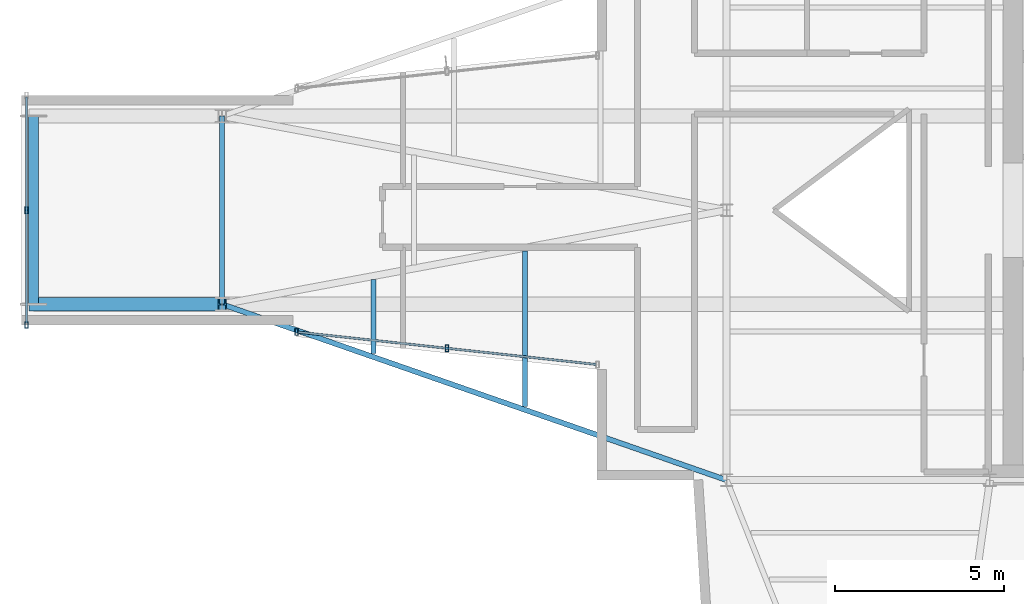
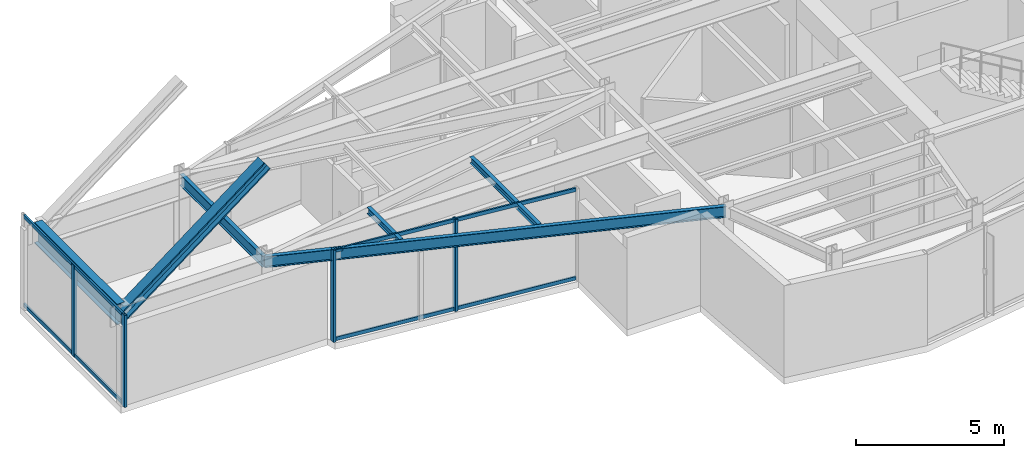
# One storey, part 2 of 16: 9 members, 5 beams, 2 elements without a shape of their own.
"""IFC4 building model written with IfcOpenShell, lengths in metres."""

from ifc_helpers import new_model, si_unit, direction, frame, origin, origin_2d, place, context, subcontext, project, spatial, hollow_rectangle, i_section, extrude, material, layer, layer_set, material_profile, profile_set, type_object, element, aggregate, save


model = new_model("IFC4")

# Units and contexts
model_context = context("Model", 3, precision=1e-05, world=origin(), true_north=direction((0.0, 1.0)))
body_context = subcontext(model_context, "Body", "Model", "MODEL_VIEW")
ifc_project = project(units=[si_unit("LENGTHUNIT", "METRE"), si_unit("AREAUNIT", "SQUARE_METRE"), si_unit("VOLUMEUNIT", "CUBIC_METRE"), si_unit("PLANEANGLEUNIT", "RADIAN"), si_unit("MASSUNIT", "GRAM", prefix="KILO")], contexts=[model_context])

# Site, building, storey
site_placement = place(None, origin())
site = spatial("IfcSite", under=ifc_project, at=site_placement, CompositionType="ELEMENT")
building_placement = place(site_placement, origin())
building = spatial("IfcBuilding", under=site, at=building_placement, Name="Veymaron Broadcast Tower", CompositionType="ELEMENT")
storey_placement = place(building_placement, frame((0.0, 0.0, 315.449951171875)))
storey = spatial("IfcBuildingStorey", under=building, at=storey_placement, Name="L74", CompositionType="ELEMENT", Elevation=315.449951171875)

# Beams
ifc_material_1 = material(Name="Structural steel ASTM A992 Gr 50", Category="steel")
ifc_material_profile_1 = material_profile(ifc_material_1, i_section(OverallWidth=0.14599609375, OverallDepth=0.258056640625, WebThickness=0.006103515625, FlangeThickness=0.009033203125, at=origin_2d()), Name="W250X33")
ifc_profile_set_1 = profile_set([ifc_material_profile_1], Name="Structural steel ASTM A992 Gr 50")
beam_type_1 = type_object("IfcBeamType", Name="BM-JS4", PredefinedType="JOIST", material=ifc_profile_set_1)
beam_1_placement = place(storey_placement, frame((20.73193359375, 19.748291015625, 3.651123046875), z_axis=(0.0, 1.0, 0.0), x_axis=(-1.0, 0.0, 0.0)))
element("IfcBeam", 1, at=beam_1_placement, inside=storey, type_object=beam_type_1, Name="L74 Arm-A secondary joist 1S", PredefinedType="JOIST", context=body_context, shape_type="SweptSolid", body=[
    extrude(i_section(OverallWidth=0.14599609375, OverallDepth=0.258056640625, WebThickness=0.006103515625, FlangeThickness=0.009033203125, at=origin_2d()), origin(), (0.0, 0.0, 1.0), 2.2001953125),
])
beam_2_placement = place(storey_placement, frame((25.21826171875, 18.184814453125, 3.651123046875), z_axis=(0.0, 1.0, 0.0), x_axis=(-1.0, 0.0, 0.0)))
element("IfcBeam", 2, at=beam_2_placement, inside=storey, type_object=beam_type_1, Name="L74 Arm-A secondary joist 2S", PredefinedType="JOIST", context=body_context, shape_type="SweptSolid", body=[
    extrude(i_section(OverallWidth=0.14599609375, OverallDepth=0.258056640625, WebThickness=0.006103515625, FlangeThickness=0.009033203125, at=origin_2d()), origin(), (0.0, 0.0, 1.0), 4.60009765625),
])
ifc_material_profile_2 = material_profile(ifc_material_1, i_section(OverallWidth=0.2939453125, OverallDepth=0.85107421875, WebThickness=0.01611328125, FlangeThickness=0.02685546875, at=origin_2d()), Name="W840X226")
ifc_profile_set_2 = profile_set([ifc_material_profile_2], Name="Structural steel ASTM A992 Gr 50")
beam_type_2 = type_object("IfcBeamType", Name="BM-SG2", PredefinedType="BEAM", material=ifc_profile_set_2)
beam_3_placement = place(storey_placement, frame((10.65869140625, 21.2119140625, 3.3544921875), z_axis=(0.0, 1.0, 0.0), x_axis=(-1.0, 0.0, 0.0)))
element("IfcBeam", 3, at=beam_3_placement, inside=storey, type_object=beam_type_2, Name="L74 Sky-Lounge Cantilever Tip Spandrel", PredefinedType="BEAM", context=body_context, shape_type="SweptSolid", body=[
    extrude(i_section(OverallWidth=0.2939453125, OverallDepth=0.85107421875, WebThickness=0.01611328125, FlangeThickness=0.02685546875, at=origin_2d()), origin(), (0.0, 0.0, 1.0), 5.576171875),
])
ifc_material_profile_3 = material_profile(ifc_material_1, i_section(OverallWidth=0.154052734375, OverallDepth=0.458984375, WebThickness=0.009033203125, FlangeThickness=0.015380859375, at=origin_2d()), Name="W460X68")
ifc_profile_set_3 = profile_set([ifc_material_profile_3], Name="Structural steel ASTM A992 Gr 50")
beam_type_3 = type_object("IfcBeamType", Name="BM-SP2", PredefinedType="SPANDREL", material=ifc_profile_set_3)
beam_4_placement = place(storey_placement, frame((16.24560546875, 21.2119140625, 3.550537109375), z_axis=(0.944292797804, -0.329106535966, 0.0), x_axis=(0.329106535966, 0.944292797804, 0.0)))
element("IfcBeam", 4, at=beam_4_placement, inside=storey, type_object=beam_type_3, Name="L74 primary structural floor girder", PredefinedType="SPANDREL", context=body_context, shape_type="SweptSolid", body=[
    extrude(i_section(OverallWidth=0.154052734375, OverallDepth=0.458984375, WebThickness=0.009033203125, FlangeThickness=0.015380859375, at=origin_2d()), origin(), (0.0, 0.0, 1.0), 15.836669921875),
])
beam_5_placement = place(storey_placement, frame((16.24560546875, 21.2119140625, 3.550537109375), z_axis=(0.0, 1.0, 0.0), x_axis=(-1.0, 0.0, 0.0)))
element("IfcBeam", 5, at=beam_5_placement, inside=storey, type_object=beam_type_3, Name="L74 primary structural floor girder", PredefinedType="SPANDREL", context=body_context, shape_type="SweptSolid", body=[
    extrude(i_section(OverallWidth=0.154052734375, OverallDepth=0.458984375, WebThickness=0.009033203125, FlangeThickness=0.015380859375, at=origin_2d()), origin(), (0.0, 0.0, 1.0), 5.576171875),
])

# Curtain wall, members
ifc_material_2 = material(Name="Anodised aluminium AA 6063-T6 and laminated low-E dark glass", Category="aluminium")
ifc_layer = layer(ifc_material_2, 0.179931640625)
ifc_layer_set = layer_set([ifc_layer], Name="Anodised aluminium AA 6063-T6 and laminated low-E dark glass")
curtain_wall_type = type_object("IfcCurtainWallType", Name="CW-SYS-07", PredefinedType="NOTDEFINED", material=ifc_layer_set)
curtain_wall_1_placement = place(storey_placement, origin())
curtain_wall_1 = element("IfcCurtainWall", 6, at=curtain_wall_1_placement, inside=storey, type_object=curtain_wall_type, Name="L74 dark-glass curtain wall CW-L74-E2-1", PredefinedType="NOTDEFINED")
ifc_material_3 = material(Name="Anodised aluminium AA 6063-T6", Category="aluminium")
ifc_material_profile_4 = material_profile(ifc_material_3, hollow_rectangle(XDim=0.10009765625, YDim=0.199951171875, WallThickness=0.010009765625, at=origin_2d()), Name="RHS200X100X10")
ifc_profile_set_4 = profile_set([ifc_material_profile_4], Name="Anodised aluminium AA 6063-T6")
member_type_1 = type_object("IfcMemberType", Name="CW-MUL-01", PredefinedType="MULLION", material=ifc_profile_set_4)
member_1_placement = place(storey_placement, frame((18.455078125, 20.390625, 0.0), z_axis=(0.0, 0.0, 1.0), x_axis=(1.0, 0.0, 0.0)))
member_1 = element("IfcMember", 7, at=member_1_placement, type_object=member_type_1, Name="CW-L74-E2-1 mullion 0", PredefinedType="MULLION", context=body_context, shape_type="SweptSolid", body=[
    extrude(hollow_rectangle(XDim=0.10009765625, YDim=0.199951171875, WallThickness=0.010009765625, at=origin_2d()), origin(), (0.0, 0.0, 1.0), 3.780029296875),
])
member_2_placement = place(storey_placement, frame((22.914306640625, 19.9072265625, 0.0), z_axis=(0.0, 0.0, 1.0), x_axis=(1.0, 0.0, 0.0)))
member_2 = element("IfcMember", 8, at=member_2_placement, type_object=member_type_1, Name="CW-L74-E2-1 mullion 1", PredefinedType="MULLION", context=body_context, shape_type="SweptSolid", body=[
    extrude(hollow_rectangle(XDim=0.10009765625, YDim=0.199951171875, WallThickness=0.010009765625, at=origin_2d()), origin(), (0.0, 0.0, 1.0), 3.780029296875),
])

curtain_wall_2_placement = place(storey_placement, origin())
curtain_wall_2 = element("IfcCurtainWall", 9, at=curtain_wall_2_placement, inside=storey, type_object=curtain_wall_type, Name="L74 dark-glass curtain wall CW-L74-E22-1", PredefinedType="NOTDEFINED")
member_3_placement = place(storey_placement, frame((10.44873046875, 24.0, 0.0), z_axis=(0.0, 0.0, 1.0), x_axis=(1.0, 0.0, 0.0)))
member_3 = element("IfcMember", 10, at=member_3_placement, type_object=member_type_1, Name="CW-L74-E22-1 mullion 1", PredefinedType="MULLION", context=body_context, shape_type="SweptSolid", body=[
    extrude(hollow_rectangle(XDim=0.10009765625, YDim=0.199951171875, WallThickness=0.010009765625, at=origin_2d()), origin(), (0.0, 0.0, 1.0), 3.780029296875),
])
member_4_placement = place(storey_placement, frame((10.44873046875, 20.60009765625, 0.0), z_axis=(0.0, 0.0, 1.0), x_axis=(1.0, 0.0, 0.0)))
member_4 = element("IfcMember", 11, at=member_4_placement, type_object=member_type_1, Name="CW-L74-E22-1 mullion 2", PredefinedType="MULLION", context=body_context, shape_type="SweptSolid", body=[
    extrude(hollow_rectangle(XDim=0.10009765625, YDim=0.199951171875, WallThickness=0.010009765625, at=origin_2d()), origin(), (0.0, 0.0, 1.0), 3.780029296875),
])

# Member
ifc_material_profile_5 = material_profile(ifc_material_3, hollow_rectangle(XDim=0.06494140625, YDim=0.14990234375, WallThickness=0.00390625, at=origin_2d()), Name="AL150X65X4")
ifc_profile_set_5 = profile_set([ifc_material_profile_5], Name="Anodised aluminium AA 6063-T6")
member_type_2 = type_object("IfcMemberType", Name="CW-TRN-01", PredefinedType="USERDEFINED", material=ifc_profile_set_5)
member_5_placement = place(storey_placement, frame((18.5048828125, 20.38525390625, 0.070068359375), z_axis=(0.994174890064, -0.107778884599, 0.0), x_axis=(0.107778884599, 0.994174890064, 0.0)))
member_5 = element("IfcMember", 12, at=member_5_placement, type_object=member_type_2, Name="CW-L74-E2-1 transom B", ObjectType="TRANSOM", PredefinedType="USERDEFINED", context=body_context, shape_type="SweptSolid", body=[
    extrude(hollow_rectangle(XDim=0.06494140625, YDim=0.14990234375, WallThickness=0.00390625, at=origin_2d()), origin(), (0.0, 0.0, 1.0), 8.87060546875),
])

member_6_placement = place(storey_placement, frame((18.5048828125, 20.38525390625, 3.7099609375), z_axis=(0.994174890064, -0.107778884599, 0.0), x_axis=(0.107778884599, 0.994174890064, 0.0)))
member_6 = element("IfcMember", 13, at=member_6_placement, type_object=member_type_2, Name="CW-L74-E2-1 transom T", ObjectType="TRANSOM", PredefinedType="USERDEFINED", context=body_context, shape_type="SweptSolid", body=[
    extrude(hollow_rectangle(XDim=0.06494140625, YDim=0.14990234375, WallThickness=0.00390625, at=origin_2d()), origin(), (0.0, 0.0, 1.0), 8.87060546875),
])

aggregate(curtain_wall_1, [member_1, member_2, member_5, member_6])

member_7_placement = place(storey_placement, frame((10.44873046875, 27.35009765625, 0.070068359375), z_axis=(0.0, -1.0, 0.0), x_axis=(1.0, 0.0, 0.0)))
member_7 = element("IfcMember", 14, at=member_7_placement, type_object=member_type_2, Name="CW-L74-E22-1 transom B", ObjectType="TRANSOM", PredefinedType="USERDEFINED", context=body_context, shape_type="SweptSolid", body=[
    extrude(hollow_rectangle(XDim=0.06494140625, YDim=0.14990234375, WallThickness=0.00390625, at=origin_2d()), origin(), (0.0, 0.0, 1.0), 6.7001953125),
])

member_8_placement = place(storey_placement, frame((10.44873046875, 27.35009765625, 3.7099609375), z_axis=(0.0, -1.0, 0.0), x_axis=(1.0, 0.0, 0.0)))
member_8 = element("IfcMember", 15, at=member_8_placement, type_object=member_type_2, Name="CW-L74-E22-1 transom T", ObjectType="TRANSOM", PredefinedType="USERDEFINED", context=body_context, shape_type="SweptSolid", body=[
    extrude(hollow_rectangle(XDim=0.06494140625, YDim=0.14990234375, WallThickness=0.00390625, at=origin_2d()), origin(), (0.0, 0.0, 1.0), 6.7001953125),
])

aggregate(curtain_wall_2, [member_3, member_4, member_7, member_8])

ifc_material_4 = material(Name="Structural steel ASTM A913 Gr 65", Category="steel")
ifc_material_profile_6 = material_profile(ifc_material_4, i_section(OverallWidth=0.406005859375, OverallDepth=0.416015625, WebThickness=0.02978515625, FlangeThickness=0.048095703125, at=origin_2d()), Name="W360X382")
ifc_profile_set_6 = profile_set([ifc_material_profile_6], Name="Structural steel ASTM A913 Gr 65")
member_type_3 = type_object("IfcMemberType", Name="MEM-OT2", PredefinedType="BRACE", material=ifc_profile_set_6)
member_9_placement = place(storey_placement, frame((10.65869140625, 21.2119140625, 3.330078125), z_axis=(0.794517453877, 0.0, 0.607241315693), x_axis=(0.0, 1.0, 0.0)))
element("IfcMember", 16, at=member_9_placement, inside=storey, type_object=member_type_3, Name="L74-L75 Sky-Lounge Cantilever Truss Diagonal S", PredefinedType="BRACE", context=body_context, shape_type="SweptSolid", body=[
    extrude(i_section(OverallWidth=0.406005859375, OverallDepth=0.416015625, WebThickness=0.02978515625, FlangeThickness=0.048095703125, at=origin_2d()), origin(), (0.0, 0.0, 1.0), 7.03173828125),
])

save(model, "model.ifc")
